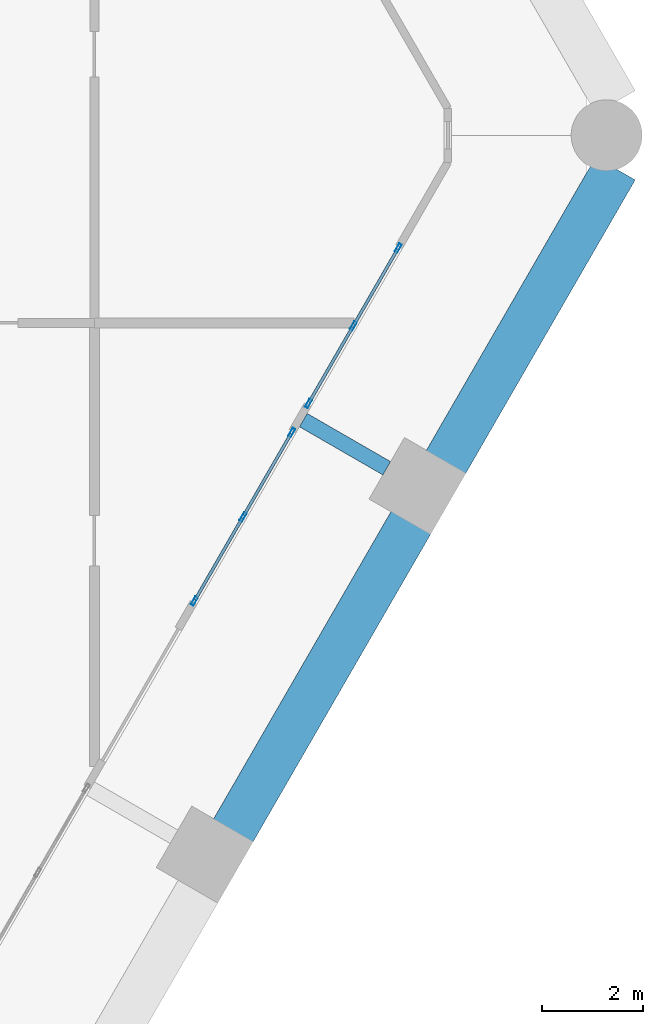
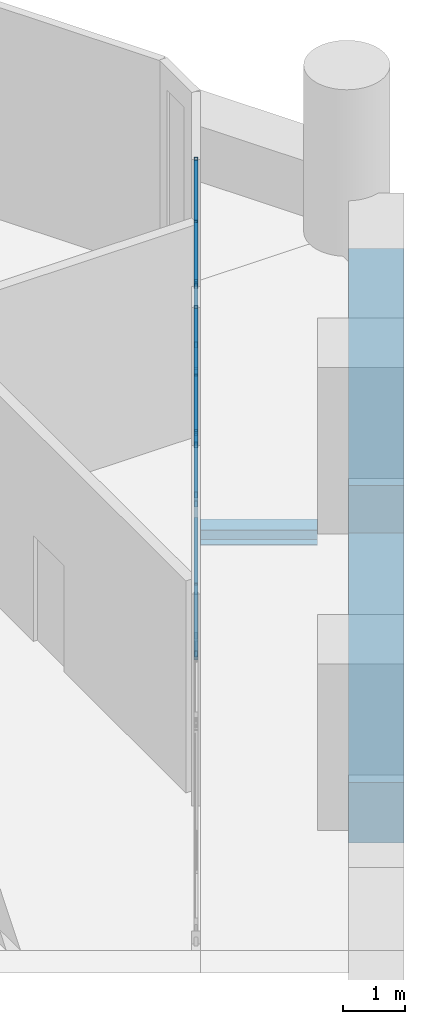
# One storey, part 7 of 18: 18 members, 3 beams, 2 elements without a shape of their own.
"""IFC4 building model written with IfcOpenShell, lengths in metres."""

from ifc_helpers import new_model, si_unit, direction, frame, origin, origin_2d, place, context, subcontext, project, spatial, rectangle, hollow_rectangle, i_section, extrude, material, material_profile, profile_set, type_object, element, aggregate, save


model = new_model("IFC4")

# Units and contexts
model_context = context("Model", 3, precision=1e-05, world=origin(), true_north=direction((0.0, 1.0)))
body_context = subcontext(model_context, "Body", "Model", "MODEL_VIEW")
ifc_project = project(units=[si_unit("LENGTHUNIT", "METRE"), si_unit("AREAUNIT", "SQUARE_METRE"), si_unit("VOLUMEUNIT", "CUBIC_METRE"), si_unit("PLANEANGLEUNIT", "RADIAN"), si_unit("MASSUNIT", "GRAM", prefix="KILO")], contexts=[model_context])

# Site, building, storey
site_placement = place(None, origin())
site = spatial("IfcSite", under=ifc_project, at=site_placement, CompositionType="ELEMENT")
building_placement = place(site_placement, origin())
building = spatial("IfcBuilding", under=site, at=building_placement, Name="Ostrander Bayou Hotel Tower", CompositionType="ELEMENT")
storey_placement = place(building_placement, frame((0.0, 0.0, 19.0)))
storey = spatial("IfcBuildingStorey", under=building, at=storey_placement, Name="L04", CompositionType="ELEMENT", Elevation=19.0)

# Curtain wall, members
ifc_material_1 = material(Name="Aluminium and clear glass", Category="aluminium")
curtain_wall_type = type_object("IfcCurtainWallType", Name="CW-SKY amenity glass wall", PredefinedType="NOTDEFINED", material=ifc_material_1)
curtain_wall_1_placement = place(storey_placement, origin())
curtain_wall_1 = element("IfcCurtainWall", 1, at=curtain_wall_1_placement, inside=storey, type_object=curtain_wall_type, Name="CW-SKY L04 SE 3", PredefinedType="NOTDEFINED")
ifc_material_2 = material(Name="Aluminium", Category="aluminium")
ifc_material_profile_1 = material_profile(ifc_material_2, hollow_rectangle(XDim=0.06005859375, YDim=0.179931640625, WallThickness=0.00390625, at=origin_2d()))
ifc_profile_set_1 = profile_set([ifc_material_profile_1], Name="Aluminium")
member_type_1 = type_object("IfcMemberType", Name="CW-SK mullion 60 x 180 mm", PredefinedType="MULLION", material=ifc_profile_set_1)
member_1_placement = place(storey_placement, frame((15.971435546875, -9.1865234375, 0.0), z_axis=(0.0, 0.0, 1.0), x_axis=(-0.866025463091, 0.499999897278, 0.0)))
member_1 = element("IfcMember", 2, at=member_1_placement, type_object=member_type_1, Name="CW-SKY mullion 1", PredefinedType="MULLION", context=body_context, shape_type="SweptSolid", body=[
    extrude(hollow_rectangle(XDim=0.06005859375, YDim=0.179931640625, WallThickness=0.00390625, at=origin_2d()), origin(), (0.0, 0.0, 1.0), 4.199951171875),
])
member_2_placement = place(storey_placement, frame((16.931396484375, -7.523681640625, 0.0), z_axis=(0.0, 0.0, 1.0), x_axis=(-0.866025463091, 0.499999897278, 0.0)))
member_2 = element("IfcMember", 3, at=member_2_placement, type_object=member_type_1, Name="CW-SKY mullion 2", PredefinedType="MULLION", context=body_context, shape_type="SweptSolid", body=[
    extrude(hollow_rectangle(XDim=0.06005859375, YDim=0.179931640625, WallThickness=0.00390625, at=origin_2d()), origin(), (0.0, 0.0, 1.0), 4.199951171875),
])
member_3_placement = place(storey_placement, frame((17.8916015625, -5.861083984375, 0.0), z_axis=(0.0, 0.0, 1.0), x_axis=(-0.866025463091, 0.499999897278, 0.0)))
member_3 = element("IfcMember", 4, at=member_3_placement, type_object=member_type_1, Name="CW-SKY mullion 3", PredefinedType="MULLION", context=body_context, shape_type="SweptSolid", body=[
    extrude(hollow_rectangle(XDim=0.06005859375, YDim=0.179931640625, WallThickness=0.00390625, at=origin_2d()), origin(), (0.0, 0.0, 1.0), 4.199951171875),
])

curtain_wall_2_placement = place(storey_placement, origin())
curtain_wall_2 = element("IfcCurtainWall", 5, at=curtain_wall_2_placement, inside=storey, type_object=curtain_wall_type, Name="CW-SKY L04 SE 4", PredefinedType="NOTDEFINED")
member_4_placement = place(storey_placement, frame((18.221435546875, -5.289306640625, 0.0), z_axis=(0.0, 0.0, 1.0), x_axis=(-0.866025997283, 0.499998972029, 0.0)))
member_4 = element("IfcMember", 6, at=member_4_placement, type_object=member_type_1, Name="CW-SKY mullion 1", PredefinedType="MULLION", context=body_context, shape_type="SweptSolid", body=[
    extrude(hollow_rectangle(XDim=0.06005859375, YDim=0.179931640625, WallThickness=0.00390625, at=origin_2d()), origin(), (0.0, 0.0, 1.0), 4.199951171875),
])
member_5_placement = place(storey_placement, frame((19.1064453125, -3.756591796875, 0.0), z_axis=(0.0, 0.0, 1.0), x_axis=(-0.866025997283, 0.499998972029, 0.0)))
member_5 = element("IfcMember", 7, at=member_5_placement, type_object=member_type_1, Name="CW-SKY mullion 2", PredefinedType="MULLION", context=body_context, shape_type="SweptSolid", body=[
    extrude(hollow_rectangle(XDim=0.06005859375, YDim=0.179931640625, WallThickness=0.00390625, at=origin_2d()), origin(), (0.0, 0.0, 1.0), 4.199951171875),
])
member_6_placement = place(storey_placement, frame((19.991455078125, -2.2236328125, 0.0), z_axis=(0.0, 0.0, 1.0), x_axis=(-0.866025997283, 0.499998972029, 0.0)))
member_6 = element("IfcMember", 8, at=member_6_placement, type_object=member_type_1, Name="CW-SKY mullion 3", PredefinedType="MULLION", context=body_context, shape_type="SweptSolid", body=[
    extrude(hollow_rectangle(XDim=0.06005859375, YDim=0.179931640625, WallThickness=0.00390625, at=origin_2d()), origin(), (0.0, 0.0, 1.0), 4.199951171875),
])

# Member
ifc_material_3 = material(Name="Aluminium", Category="aluminium")
ifc_material_profile_2 = material_profile(ifc_material_3, hollow_rectangle(XDim=0.06005859375, YDim=0.1201171875, WallThickness=0.00390625, at=origin_2d()))
ifc_profile_set_2 = profile_set([ifc_material_profile_2], Name="Aluminium")
member_type_2 = type_object("IfcMemberType", Name="CW-SK transom 60 x 120 mm", PredefinedType="USERDEFINED", material=ifc_profile_set_2)
member_7_placement = place(storey_placement, frame((15.986572265625, -9.16064453125, 0.030029296875), z_axis=(0.499964847546, 0.866045698112, 0.0), x_axis=(-0.866045698112, 0.499964847546, 0.0)))
member_7 = element("IfcMember", 9, at=member_7_placement, type_object=member_type_2, Name="CW-SKY transom 1.1", ObjectType="TRANSOM", PredefinedType="USERDEFINED", context=body_context, shape_type="SweptSolid", body=[
    extrude(hollow_rectangle(XDim=0.06005859375, YDim=0.1201171875, WallThickness=0.00390625, at=origin_2d()), origin(), (0.0, 0.0, 1.0), 1.860107421875),
])

member_8_placement = place(storey_placement, frame((15.986572265625, -9.16064453125, 3.0), z_axis=(0.499964847546, 0.866045698112, 0.0), x_axis=(-0.866045698112, 0.499964847546, 0.0)))
member_8 = element("IfcMember", 10, at=member_8_placement, type_object=member_type_2, Name="CW-SKY transom 1.2", ObjectType="TRANSOM", PredefinedType="USERDEFINED", context=body_context, shape_type="SweptSolid", body=[
    extrude(hollow_rectangle(XDim=0.06005859375, YDim=0.1201171875, WallThickness=0.00390625, at=origin_2d()), origin(), (0.0, 0.0, 1.0), 1.860107421875),
])

member_9_placement = place(storey_placement, frame((15.986572265625, -9.16064453125, 4.169921875), z_axis=(0.499964847546, 0.866045698112, 0.0), x_axis=(-0.866045698112, 0.499964847546, 0.0)))
member_9 = element("IfcMember", 11, at=member_9_placement, type_object=member_type_2, Name="CW-SKY transom 1.3", ObjectType="TRANSOM", PredefinedType="USERDEFINED", context=body_context, shape_type="SweptSolid", body=[
    extrude(hollow_rectangle(XDim=0.06005859375, YDim=0.1201171875, WallThickness=0.00390625, at=origin_2d()), origin(), (0.0, 0.0, 1.0), 1.860107421875),
])

member_10_placement = place(storey_placement, frame((16.946533203125, -7.497802734375, 0.030029296875), z_axis=(0.499964847546, 0.866045698112, 0.0), x_axis=(-0.866045698112, 0.499964847546, 0.0)))
member_10 = element("IfcMember", 12, at=member_10_placement, type_object=member_type_2, Name="CW-SKY transom 2.1", ObjectType="TRANSOM", PredefinedType="USERDEFINED", context=body_context, shape_type="SweptSolid", body=[
    extrude(hollow_rectangle(XDim=0.06005859375, YDim=0.1201171875, WallThickness=0.00390625, at=origin_2d()), origin(), (0.0, 0.0, 1.0), 1.860107421875),
])

member_11_placement = place(storey_placement, frame((16.946533203125, -7.497802734375, 3.0), z_axis=(0.499964847546, 0.866045698112, 0.0), x_axis=(-0.866045698112, 0.499964847546, 0.0)))
member_11 = element("IfcMember", 13, at=member_11_placement, type_object=member_type_2, Name="CW-SKY transom 2.2", ObjectType="TRANSOM", PredefinedType="USERDEFINED", context=body_context, shape_type="SweptSolid", body=[
    extrude(hollow_rectangle(XDim=0.06005859375, YDim=0.1201171875, WallThickness=0.00390625, at=origin_2d()), origin(), (0.0, 0.0, 1.0), 1.860107421875),
])

member_12_placement = place(storey_placement, frame((16.946533203125, -7.497802734375, 4.169921875), z_axis=(0.499964847546, 0.866045698112, 0.0), x_axis=(-0.866045698112, 0.499964847546, 0.0)))
member_12 = element("IfcMember", 14, at=member_12_placement, type_object=member_type_2, Name="CW-SKY transom 2.3", ObjectType="TRANSOM", PredefinedType="USERDEFINED", context=body_context, shape_type="SweptSolid", body=[
    extrude(hollow_rectangle(XDim=0.06005859375, YDim=0.1201171875, WallThickness=0.00390625, at=origin_2d()), origin(), (0.0, 0.0, 1.0), 1.860107421875),
])

aggregate(curtain_wall_1, [member_1, member_2, member_3, member_7, member_8, member_9, member_10, member_11, member_12])

member_13_placement = place(storey_placement, frame((18.236572265625, -5.263427734375, 0.030029296875), z_axis=(0.499977863513, 0.866038183914, 0.0), x_axis=(-0.866038183914, 0.499977863513, 0.0)))
member_13 = element("IfcMember", 15, at=member_13_placement, type_object=member_type_2, Name="CW-SKY transom 1.1", ObjectType="TRANSOM", PredefinedType="USERDEFINED", context=body_context, shape_type="SweptSolid", body=[
    extrude(hollow_rectangle(XDim=0.06005859375, YDim=0.1201171875, WallThickness=0.00390625, at=origin_2d()), origin(), (0.0, 0.0, 1.0), 1.7099609375),
])

member_14_placement = place(storey_placement, frame((18.236572265625, -5.263427734375, 3.0), z_axis=(0.499977863513, 0.866038183914, 0.0), x_axis=(-0.866038183914, 0.499977863513, 0.0)))
member_14 = element("IfcMember", 16, at=member_14_placement, type_object=member_type_2, Name="CW-SKY transom 1.2", ObjectType="TRANSOM", PredefinedType="USERDEFINED", context=body_context, shape_type="SweptSolid", body=[
    extrude(hollow_rectangle(XDim=0.06005859375, YDim=0.1201171875, WallThickness=0.00390625, at=origin_2d()), origin(), (0.0, 0.0, 1.0), 1.7099609375),
])

member_15_placement = place(storey_placement, frame((18.236572265625, -5.263427734375, 4.169921875), z_axis=(0.499977863513, 0.866038183914, 0.0), x_axis=(-0.866038183914, 0.499977863513, 0.0)))
member_15 = element("IfcMember", 17, at=member_15_placement, type_object=member_type_2, Name="CW-SKY transom 1.3", ObjectType="TRANSOM", PredefinedType="USERDEFINED", context=body_context, shape_type="SweptSolid", body=[
    extrude(hollow_rectangle(XDim=0.06005859375, YDim=0.1201171875, WallThickness=0.00390625, at=origin_2d()), origin(), (0.0, 0.0, 1.0), 1.7099609375),
])

member_16_placement = place(storey_placement, frame((19.12158203125, -3.73046875, 0.030029296875), z_axis=(0.500039688951, 0.866002488145, 0.0), x_axis=(-0.866002488145, 0.500039688951, 0.0)))
member_16 = element("IfcMember", 18, at=member_16_placement, type_object=member_type_2, Name="CW-SKY transom 2.1", ObjectType="TRANSOM", PredefinedType="USERDEFINED", context=body_context, shape_type="SweptSolid", body=[
    extrude(hollow_rectangle(XDim=0.06005859375, YDim=0.1201171875, WallThickness=0.00390625, at=origin_2d()), origin(), (0.0, 0.0, 1.0), 1.709716796875),
])

member_17_placement = place(storey_placement, frame((19.12158203125, -3.73046875, 3.0), z_axis=(0.500039688951, 0.866002488145, 0.0), x_axis=(-0.866002488145, 0.500039688951, 0.0)))
member_17 = element("IfcMember", 19, at=member_17_placement, type_object=member_type_2, Name="CW-SKY transom 2.2", ObjectType="TRANSOM", PredefinedType="USERDEFINED", context=body_context, shape_type="SweptSolid", body=[
    extrude(hollow_rectangle(XDim=0.06005859375, YDim=0.1201171875, WallThickness=0.00390625, at=origin_2d()), origin(), (0.0, 0.0, 1.0), 1.709716796875),
])

member_18_placement = place(storey_placement, frame((19.12158203125, -3.73046875, 4.169921875), z_axis=(0.500039688951, 0.866002488145, 0.0), x_axis=(-0.866002488145, 0.500039688951, 0.0)))
member_18 = element("IfcMember", 20, at=member_18_placement, type_object=member_type_2, Name="CW-SKY transom 2.3", ObjectType="TRANSOM", PredefinedType="USERDEFINED", context=body_context, shape_type="SweptSolid", body=[
    extrude(hollow_rectangle(XDim=0.06005859375, YDim=0.1201171875, WallThickness=0.00390625, at=origin_2d()), origin(), (0.0, 0.0, 1.0), 1.709716796875),
])

aggregate(curtain_wall_2, [member_4, member_5, member_6, member_13, member_14, member_15, member_16, member_17, member_18])

# Beams
ifc_material_4 = material(Name="Steel ASTM A992", Category="steel")
ifc_material_profile_3 = material_profile(ifc_material_4, i_section(OverallWidth=0.3046875, OverallDepth=0.307861328125, WebThickness=0.010009765625, FlangeThickness=0.015380859375, at=origin_2d()))
ifc_profile_set_3 = profile_set([ifc_material_profile_3], Name="Steel ASTM A992")
beam_type_1 = type_object("IfcBeamType", Name="LB1 loggia bracket W12x65", PredefinedType="BEAM", material=ifc_profile_set_3)
beam_1_placement = place(storey_placement, frame((19.7646484375, -6.566650390625, -0.453857421875), z_axis=(-0.866044365799, 0.499967155389, 0.0), x_axis=(-0.499967155389, -0.866044365799, 0.0)))
element("IfcBeam", 21, at=beam_1_placement, inside=storey, type_object=beam_type_1, Name="LB1 L04 SE2", PredefinedType="BEAM", context=body_context, shape_type="SweptSolid", body=[
    extrude(i_section(OverallWidth=0.3046875, OverallDepth=0.307861328125, WebThickness=0.010009765625, FlangeThickness=0.015380859375, at=origin_2d()), origin(), (0.0, 0.0, 1.0), 1.900146484375),
])
ifc_material_5 = material(Name="Concrete f'c 70 MPa", Category="concrete")
ifc_material_profile_4 = material_profile(ifc_material_5, rectangle(XDim=0.89990234375, YDim=1.199951171875, at=origin_2d()))
ifc_profile_set_4 = profile_set([ifc_material_profile_4], Name="Concrete f'c 70 MPa")
beam_type_2 = type_object("IfcBeamType", Name="SP1 spandrel beam 900 x 1200 mm f'c 70 MPa", PredefinedType="SPANDREL", material=ifc_profile_set_4)
beam_2_placement = place(storey_placement, frame((16.726806640625, -13.72802734375, -0.60009765625), z_axis=(0.499997206141, 0.866027016814, 0.0), x_axis=(-0.866027016814, 0.499997206141, 0.0)))
element("IfcBeam", 22, at=beam_2_placement, inside=storey, type_object=beam_type_2, Name="SP1 L04 SE-2", PredefinedType="SPANDREL", context=body_context, shape_type="SweptSolid", body=[
    extrude(rectangle(XDim=0.89990234375, YDim=1.199951171875, at=origin_2d()), origin(), (0.0, 0.0, 1.0), 7.05078125),
])
beam_3_placement = place(storey_placement, frame((20.92236328125, -6.46142578125, -0.60009765625), z_axis=(0.500005133765, 0.866022439784, 0.0), x_axis=(-0.866022439784, 0.500005133765, 0.0)))
element("IfcBeam", 23, at=beam_3_placement, inside=storey, type_object=beam_type_2, Name="SP1 L04 SE-3", PredefinedType="SPANDREL", context=body_context, shape_type="SweptSolid", body=[
    extrude(rectangle(XDim=0.89990234375, YDim=1.199951171875, at=origin_2d()), origin(), (0.0, 0.0, 1.0), 6.70361328125),
])

save(model, "model.ifc")
